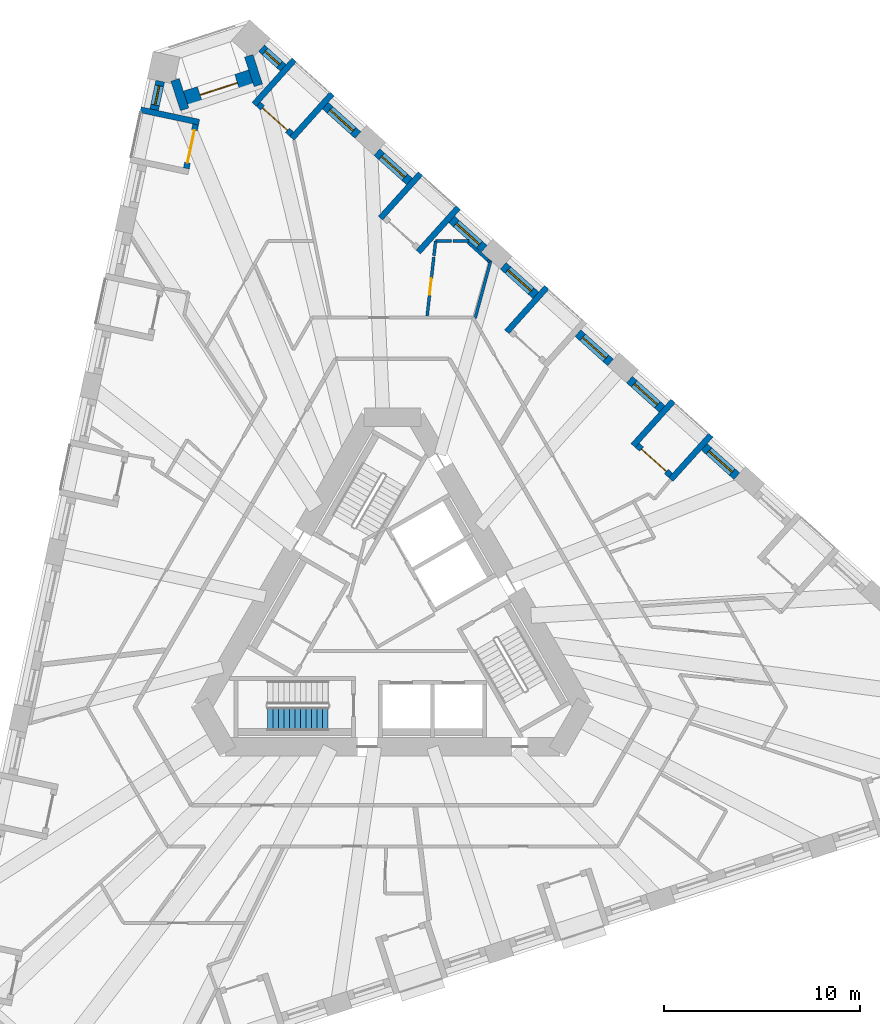
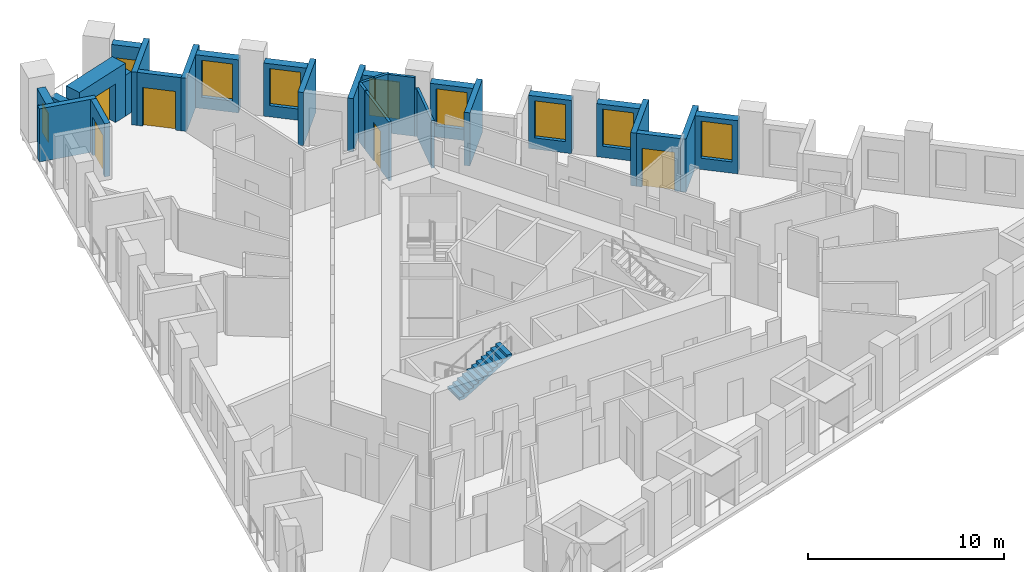
# One storey, part 9 of 13: 30 walls, 9 windows, 5 doors, 1 stair flight, 14 openings, 1 element without a shape of its own.
"""IFC4 building model written with IfcOpenShell, lengths in metres."""

from ifc_helpers import new_model, si_unit, direction, frame, frame_2d, origin, place, context, subcontext, project, spatial, polyline, rectangle, outline, extrude, material, layer, layer_set, type_object, element, fill, aggregate, save


model = new_model("IFC4")

# Units and contexts
model_context = context("Model", 3, precision=1e-05, world=origin(), true_north=direction((0.0, 1.0)))
body_context = subcontext(model_context, "Body", "Model", "MODEL_VIEW")
ifc_project = project(units=[si_unit("LENGTHUNIT", "METRE"), si_unit("AREAUNIT", "SQUARE_METRE"), si_unit("VOLUMEUNIT", "CUBIC_METRE"), si_unit("PLANEANGLEUNIT", "RADIAN"), si_unit("MASSUNIT", "GRAM", prefix="KILO")], contexts=[model_context])

# Site, building, storey
site_placement = place(None, origin())
site = spatial("IfcSite", under=ifc_project, at=site_placement, CompositionType="ELEMENT")
building_placement = place(site_placement, origin())
building = spatial("IfcBuilding", under=site, at=building_placement, Name="Tramontana Tower", CompositionType="ELEMENT")
storey_placement = place(building_placement, frame((0.0, 0.0, 108.39990234375)))
storey = spatial("IfcBuildingStorey", under=building, at=storey_placement, Name="L24", CompositionType="ELEMENT", Elevation=108.39990234375)

# Wall, opening, window
ifc_material_1 = material(Name="Precast concrete 60 MPa", Category="concrete")
ifc_layer_1 = layer(ifc_material_1, 0.449951171875)
ifc_layer_set_1 = layer_set([ifc_layer_1], Name="Precast concrete 60 MPa, 450 mm")
wall_type_1 = type_object("IfcWallType", Name="EW1 Stone-faced precast wall 450", PredefinedType="SOLIDWALL", material=ifc_layer_set_1)
wall_1_placement = place(storey_placement, frame((-11.835693359375, 27.645751953125, 0.0), z_axis=(0.0, 0.0, 1.0), x_axis=(-0.207880358131, -0.978154260178, 0.0)))
wall_1 = element("IfcWall", 1, at=wall_1_placement, inside=storey, type_object=wall_type_1, Name="External wall L24 face 0 bay 1", PredefinedType="SOLIDWALL", context=body_context, shape_type="SweptSolid", body=[
    extrude(rectangle(XDim=1.48681640625, YDim=0.449951171875, at=frame_2d((0.743408203125, 0.0))), origin(), (0.0, 0.0, 1.0), 3.300048828125),
])
opening_1_placement = place(wall_1_placement, frame((0.243408203125, 0.0, 0.699951171875)))
opening_1 = element("IfcOpeningElement", 2, at=opening_1_placement, cuts=wall_1, Name="Opening N1L", PredefinedType="OPENING", context=body_context, shape_type="SweptSolid", body=[
    extrude(rectangle(XDim=1.0, YDim=1.800048828125, at=frame_2d((0.5, 0.89990234375))), frame((0.0, 0.23486328125, 0.0), z_axis=(0.0, -1.0, 0.0), x_axis=(1.0, 0.0, 0.0)), (0.0, 0.0, 1.0), 0.469970703125),
])
ifc_material_2 = material(Name="Aluminum frame, double glazing unit", Category="aluminium")
window_type_1 = type_object("IfcWindowType", Name="N1L Window 1 x 1.8", PartitioningType="SINGLE_PANEL", PredefinedType="WINDOW", material=ifc_material_2)
window_1_placement = place(opening_1_placement, origin())
window_1 = element("IfcWindow", 3, at=window_1_placement, inside=storey, type_object=window_type_1, Name="Window N1L L24 face 0 module 1", OverallHeight=1.800048828125, OverallWidth=1.0, PartitioningType="SINGLE_PANEL", PredefinedType="WINDOW", context=body_context, shape_type="SweptSolid", body=[
    extrude(rectangle(XDim=1.0, YDim=1.800048828125, at=frame_2d((0.5, 0.89990234375))), frame((0.0, 0.030029296875, 0.0), z_axis=(0.0, -1.0, 0.0), x_axis=(1.0, 0.0, 0.0)), (0.0, 0.0, 1.0), 0.06005859375),
])
fill(opening_1, window_1)

wall_2_placement = place(storey_placement, frame((17.54541015625, 7.51513671875, 0.0), z_axis=(0.0, 0.0, 1.0), x_axis=(-0.743142151309, 0.669133576311, 0.0)))
wall_2 = element("IfcWall", 4, at=wall_2_placement, inside=storey, type_object=wall_type_1, Name="External wall L24 face 2 bay 3", PredefinedType="SOLIDWALL", context=body_context, shape_type="SweptSolid", body=[
    extrude(rectangle(XDim=2.236572265625, YDim=0.449951171875, at=frame_2d((1.1181640625, 0.0))), origin(), (0.0, 0.0, 1.0), 3.300048828125),
])
opening_2_placement = place(wall_2_placement, frame((0.318359375, 0.0, 0.699951171875)))
opening_2 = element("IfcOpeningElement", 5, at=opening_2_placement, cuts=wall_2, Name="Opening M1", PredefinedType="OPENING", context=body_context, shape_type="SweptSolid", body=[
    extrude(rectangle(XDim=1.60009765625, YDim=2.300048828125, at=frame_2d((0.800048828125, 1.14990234375))), frame((0.0, 0.23486328125, 0.0), z_axis=(0.0, -1.0, 0.0), x_axis=(1.0, 0.0, 0.0)), (0.0, 0.0, 1.0), 0.469970703125),
])
ifc_material_3 = material(Name="Aluminum frame, double glazing unit", Category="aluminium")
window_type_2 = type_object("IfcWindowType", Name="M1 Window 1.6 x 2.3", PartitioningType="SINGLE_PANEL", PredefinedType="WINDOW", material=ifc_material_3)
window_2_placement = place(opening_2_placement, origin())
window_2 = element("IfcWindow", 6, at=window_2_placement, inside=storey, type_object=window_type_2, Name="Window M1 L24 face 2 module 7", OverallHeight=2.300048828125, OverallWidth=1.60009765625, PartitioningType="SINGLE_PANEL", PredefinedType="WINDOW", context=body_context, shape_type="SweptSolid", body=[
    extrude(rectangle(XDim=1.60009765625, YDim=2.300048828125, at=frame_2d((0.800048828125, 1.14990234375))), frame((0.0, 0.030029296875, 0.0), z_axis=(0.0, -1.0, 0.0), x_axis=(1.0, 0.0, 0.0)), (0.0, 0.0, 1.0), 0.06005859375),
])
fill(opening_2, window_2)

wall_3_placement = place(storey_placement, frame((13.738037109375, 10.943359375, 0.0), z_axis=(0.0, 0.0, 1.0), x_axis=(-0.743191019375, 0.669079299276, 0.0)))
wall_3 = element("IfcWall", 7, at=wall_3_placement, inside=storey, type_object=wall_type_1, Name="External wall L24 face 2 bay 3", PredefinedType="SOLIDWALL", context=body_context, shape_type="SweptSolid", body=[
    extrude(rectangle(XDim=2.23681640625, YDim=0.449951171875, at=frame_2d((1.118408203125, 0.0))), origin(), (0.0, 0.0, 1.0), 3.300048828125),
])
opening_3_placement = place(wall_3_placement, frame((0.318359375, 0.0, 0.699951171875)))
opening_3 = element("IfcOpeningElement", 8, at=opening_3_placement, cuts=wall_3, Name="Opening M1", PredefinedType="OPENING", context=body_context, shape_type="SweptSolid", body=[
    extrude(rectangle(XDim=1.60009765625, YDim=2.300048828125, at=frame_2d((0.800048828125, 1.14990234375))), frame((0.0, 0.23486328125, 0.0), z_axis=(0.0, -1.0, 0.0), x_axis=(1.0, 0.0, 0.0)), (0.0, 0.0, 1.0), 0.469970703125),
])
window_3_placement = place(opening_3_placement, origin())
window_3 = element("IfcWindow", 9, at=window_3_placement, inside=storey, type_object=window_type_2, Name="Window M1 L24 face 2 module 9", OverallHeight=2.300048828125, OverallWidth=1.60009765625, PartitioningType="SINGLE_PANEL", PredefinedType="WINDOW", context=body_context, shape_type="SweptSolid", body=[
    extrude(rectangle(XDim=1.60009765625, YDim=2.300048828125, at=frame_2d((0.800048828125, 1.14990234375))), frame((0.0, 0.030029296875, 0.0), z_axis=(0.0, -1.0, 0.0), x_axis=(1.0, 0.0, 0.0)), (0.0, 0.0, 1.0), 0.06005859375),
])
fill(opening_3, window_3)

wall_4_placement = place(storey_placement, frame((11.109619140625, 13.309814453125, 0.0), z_axis=(0.0, 0.0, 1.0), x_axis=(-0.743087873176, 0.669193852885, 0.0)))
wall_4 = element("IfcWall", 10, at=wall_4_placement, inside=storey, type_object=wall_type_1, Name="External wall L24 face 2 bay 4", PredefinedType="SOLIDWALL", context=body_context, shape_type="SweptSolid", body=[
    extrude(rectangle(XDim=2.23681640625, YDim=0.449951171875, at=frame_2d((1.118408203125, 0.0))), origin(), (0.0, 0.0, 1.0), 3.300048828125),
])
opening_4_placement = place(wall_4_placement, frame((0.318359375, 0.0, 0.699951171875)))
opening_4 = element("IfcOpeningElement", 11, at=opening_4_placement, cuts=wall_4, Name="Opening M1", PredefinedType="OPENING", context=body_context, shape_type="SweptSolid", body=[
    extrude(rectangle(XDim=1.60009765625, YDim=2.300048828125, at=frame_2d((0.800048828125, 1.14990234375))), frame((0.0, 0.23486328125, 0.0), z_axis=(0.0, -1.0, 0.0), x_axis=(1.0, 0.0, 0.0)), (0.0, 0.0, 1.0), 0.469970703125),
])
window_4_placement = place(opening_4_placement, origin())
window_4 = element("IfcWindow", 12, at=window_4_placement, inside=storey, type_object=window_type_2, Name="Window M1 L24 face 2 module 10", OverallHeight=2.300048828125, OverallWidth=1.60009765625, PartitioningType="SINGLE_PANEL", PredefinedType="WINDOW", context=body_context, shape_type="SweptSolid", body=[
    extrude(rectangle(XDim=1.60009765625, YDim=2.300048828125, at=frame_2d((0.800048828125, 1.14990234375))), frame((0.0, 0.030029296875, 0.0), z_axis=(0.0, -1.0, 0.0), x_axis=(1.0, 0.0, 0.0)), (0.0, 0.0, 1.0), 0.06005859375),
])
fill(opening_4, window_4)

wall_5_placement = place(storey_placement, frame((7.30224609375, 16.73828125, 0.0), z_axis=(0.0, 0.0, 1.0), x_axis=(-0.743191019375, 0.669079299276, 0.0)))
wall_5 = element("IfcWall", 13, at=wall_5_placement, inside=storey, type_object=wall_type_1, Name="External wall L24 face 2 bay 4", PredefinedType="SOLIDWALL", context=body_context, shape_type="SweptSolid", body=[
    extrude(rectangle(XDim=2.23681640625, YDim=0.449951171875, at=frame_2d((1.118408203125, 0.0))), origin(), (0.0, 0.0, 1.0), 3.300048828125),
])
opening_5_placement = place(wall_5_placement, frame((0.318359375, 0.0, 0.699951171875)))
opening_5 = element("IfcOpeningElement", 14, at=opening_5_placement, cuts=wall_5, Name="Opening M1", PredefinedType="OPENING", context=body_context, shape_type="SweptSolid", body=[
    extrude(rectangle(XDim=1.60009765625, YDim=2.300048828125, at=frame_2d((0.800048828125, 1.14990234375))), frame((0.0, 0.23486328125, 0.0), z_axis=(0.0, -1.0, 0.0), x_axis=(1.0, 0.0, 0.0)), (0.0, 0.0, 1.0), 0.469970703125),
])
window_5_placement = place(opening_5_placement, origin())
window_5 = element("IfcWindow", 15, at=window_5_placement, inside=storey, type_object=window_type_2, Name="Window M1 L24 face 2 module 12", OverallHeight=2.300048828125, OverallWidth=1.60009765625, PartitioningType="SINGLE_PANEL", PredefinedType="WINDOW", context=body_context, shape_type="SweptSolid", body=[
    extrude(rectangle(XDim=1.60009765625, YDim=2.300048828125, at=frame_2d((0.800048828125, 1.14990234375))), frame((0.0, 0.030029296875, 0.0), z_axis=(0.0, -1.0, 0.0), x_axis=(1.0, 0.0, 0.0)), (0.0, 0.0, 1.0), 0.06005859375),
])
fill(opening_5, window_5)

wall_6_placement = place(storey_placement, frame((4.673828125, 19.104736328125, 0.0), z_axis=(0.0, 0.0, 1.0), x_axis=(-0.743191019375, 0.669079299276, 0.0)))
wall_6 = element("IfcWall", 16, at=wall_6_placement, inside=storey, type_object=wall_type_1, Name="External wall L24 face 2 bay 5", PredefinedType="SOLIDWALL", context=body_context, shape_type="SweptSolid", body=[
    extrude(rectangle(XDim=2.23681640625, YDim=0.449951171875, at=frame_2d((1.118408203125, 0.0))), origin(), (0.0, 0.0, 1.0), 3.300048828125),
])
opening_6_placement = place(wall_6_placement, frame((0.318359375, 0.0, 0.699951171875)))
opening_6 = element("IfcOpeningElement", 17, at=opening_6_placement, cuts=wall_6, Name="Opening M1", PredefinedType="OPENING", context=body_context, shape_type="SweptSolid", body=[
    extrude(rectangle(XDim=1.60009765625, YDim=2.300048828125, at=frame_2d((0.800048828125, 1.14990234375))), frame((0.0, 0.23486328125, 0.0), z_axis=(0.0, -1.0, 0.0), x_axis=(1.0, 0.0, 0.0)), (0.0, 0.0, 1.0), 0.469970703125),
])
window_6_placement = place(opening_6_placement, origin())
window_6 = element("IfcWindow", 18, at=window_6_placement, inside=storey, type_object=window_type_2, Name="Window M1 L24 face 2 module 13", OverallHeight=2.300048828125, OverallWidth=1.60009765625, PartitioningType="SINGLE_PANEL", PredefinedType="WINDOW", context=body_context, shape_type="SweptSolid", body=[
    extrude(rectangle(XDim=1.60009765625, YDim=2.300048828125, at=frame_2d((0.800048828125, 1.14990234375))), frame((0.0, 0.030029296875, 0.0), z_axis=(0.0, -1.0, 0.0), x_axis=(1.0, 0.0, 0.0)), (0.0, 0.0, 1.0), 0.06005859375),
])
fill(opening_6, window_6)

wall_7_placement = place(storey_placement, frame((0.8662109375, 22.532958984375, 0.0), z_axis=(0.0, 0.0, 1.0), x_axis=(-0.743087873176, 0.669193852885, 0.0)))
wall_7 = element("IfcWall", 19, at=wall_7_placement, inside=storey, type_object=wall_type_1, Name="External wall L24 face 2 bay 5", PredefinedType="SOLIDWALL", context=body_context, shape_type="SweptSolid", body=[
    extrude(rectangle(XDim=2.23681640625, YDim=0.449951171875, at=frame_2d((1.118408203125, 0.0))), origin(), (0.0, 0.0, 1.0), 3.300048828125),
])
opening_7_placement = place(wall_7_placement, frame((0.318359375, 0.0, 0.699951171875)))
opening_7 = element("IfcOpeningElement", 20, at=opening_7_placement, cuts=wall_7, Name="Opening M1", PredefinedType="OPENING", context=body_context, shape_type="SweptSolid", body=[
    extrude(rectangle(XDim=1.60009765625, YDim=2.300048828125, at=frame_2d((0.800048828125, 1.14990234375))), frame((0.0, 0.23486328125, 0.0), z_axis=(0.0, -1.0, 0.0), x_axis=(1.0, 0.0, 0.0)), (0.0, 0.0, 1.0), 0.469970703125),
])
window_7_placement = place(opening_7_placement, origin())
window_7 = element("IfcWindow", 21, at=window_7_placement, inside=storey, type_object=window_type_2, Name="Window M1 L24 face 2 module 15", OverallHeight=2.300048828125, OverallWidth=1.60009765625, PartitioningType="SINGLE_PANEL", PredefinedType="WINDOW", context=body_context, shape_type="SweptSolid", body=[
    extrude(rectangle(XDim=1.60009765625, YDim=2.300048828125, at=frame_2d((0.800048828125, 1.14990234375))), frame((0.0, 0.030029296875, 0.0), z_axis=(0.0, -1.0, 0.0), x_axis=(1.0, 0.0, 0.0)), (0.0, 0.0, 1.0), 0.06005859375),
])
fill(opening_7, window_7)

wall_8_placement = place(storey_placement, frame((-1.761962890625, 24.899658203125, 0.0), z_axis=(0.0, 0.0, 1.0), x_axis=(-0.743191019375, 0.669079299276, 0.0)))
wall_8 = element("IfcWall", 22, at=wall_8_placement, inside=storey, type_object=wall_type_1, Name="External wall L24 face 2 bay 6", PredefinedType="SOLIDWALL", context=body_context, shape_type="SweptSolid", body=[
    extrude(rectangle(XDim=2.23681640625, YDim=0.449951171875, at=frame_2d((1.118408203125, 0.0))), origin(), (0.0, 0.0, 1.0), 3.300048828125),
])
opening_8_placement = place(wall_8_placement, frame((0.318359375, 0.0, 0.699951171875)))
opening_8 = element("IfcOpeningElement", 23, at=opening_8_placement, cuts=wall_8, Name="Opening M1", PredefinedType="OPENING", context=body_context, shape_type="SweptSolid", body=[
    extrude(rectangle(XDim=1.60009765625, YDim=2.300048828125, at=frame_2d((0.800048828125, 1.14990234375))), frame((0.0, 0.23486328125, 0.0), z_axis=(0.0, -1.0, 0.0), x_axis=(1.0, 0.0, 0.0)), (0.0, 0.0, 1.0), 0.469970703125),
])
window_8_placement = place(opening_8_placement, origin())
window_8 = element("IfcWindow", 24, at=window_8_placement, inside=storey, type_object=window_type_2, Name="Window M1 L24 face 2 module 16", OverallHeight=2.300048828125, OverallWidth=1.60009765625, PartitioningType="SINGLE_PANEL", PredefinedType="WINDOW", context=body_context, shape_type="SweptSolid", body=[
    extrude(rectangle(XDim=1.60009765625, YDim=2.300048828125, at=frame_2d((0.800048828125, 1.14990234375))), frame((0.0, 0.030029296875, 0.0), z_axis=(0.0, -1.0, 0.0), x_axis=(1.0, 0.0, 0.0)), (0.0, 0.0, 1.0), 0.06005859375),
])
fill(opening_8, window_8)

wall_9_placement = place(storey_placement, frame((-5.569580078125, 28.327880859375, 0.0), z_axis=(0.0, 0.0, 1.0), x_axis=(-0.743089972274, 0.669191521992, 0.0)))
wall_9 = element("IfcWall", 25, at=wall_9_placement, inside=storey, type_object=wall_type_1, Name="External wall L24 face 2 bay 6", PredefinedType="SOLIDWALL", context=body_context, shape_type="SweptSolid", body=[
    extrude(rectangle(XDim=1.486572265625, YDim=0.449951171875, at=frame_2d((0.7431640625, 0.0))), origin(), (0.0, 0.0, 1.0), 3.300048828125),
])
opening_9_placement = place(wall_9_placement, frame((0.243408203125, 0.0, 0.699951171875)))
opening_9 = element("IfcOpeningElement", 26, at=opening_9_placement, cuts=wall_9, Name="Opening N1L", PredefinedType="OPENING", context=body_context, shape_type="SweptSolid", body=[
    extrude(rectangle(XDim=1.0, YDim=1.800048828125, at=frame_2d((0.5, 0.89990234375))), frame((0.0, 0.23486328125, 0.0), z_axis=(0.0, -1.0, 0.0), x_axis=(1.0, 0.0, 0.0)), (0.0, 0.0, 1.0), 0.469970703125),
])
window_9_placement = place(opening_9_placement, origin())
window_9 = element("IfcWindow", 27, at=window_9_placement, inside=storey, type_object=window_type_1, Name="Window N1L L24 face 2 module 18", OverallHeight=1.800048828125, OverallWidth=1.0, PartitioningType="SINGLE_PANEL", PredefinedType="WINDOW", context=body_context, shape_type="SweptSolid", body=[
    extrude(rectangle(XDim=1.0, YDim=1.800048828125, at=frame_2d((0.5, 0.89990234375))), frame((0.0, 0.030029296875, 0.0), z_axis=(0.0, -1.0, 0.0), x_axis=(1.0, 0.0, 0.0)), (0.0, 0.0, 1.0), 0.06005859375),
])
fill(opening_9, window_9)

# Walls
for number, where, z_axis, x_axis, name in (
    (28, (-11.08056640625, 27.71142578125, 0.0), (0.0, 0.0, 1.0), (0.309030142399, -0.951052244143, 0.0), "Corner loggia side wall L24 K20l"),
    (29, (-7.323974609375, 28.93212890625, 0.0), (0.0, 0.0, 1.0), (0.309030142399, -0.951052244143, 0.0), "Corner loggia side wall L24 K20r"),
):
    element("IfcWall", number, at=place(storey_placement, frame(where, z_axis=z_axis, x_axis=x_axis)), inside=storey, type_object=wall_type_1, Name=name, PredefinedType="SOLIDWALL", context=body_context, shape_type="SweptSolid", body=[
        extrude(rectangle(XDim=1.579345703125, YDim=0.449951171875, at=frame_2d((0.78955078125, 0.0))), origin(), (0.0, 0.0, 1.0), 2.550048828125),
    ])

# Wall, opening, door
ifc_material_4 = material(Name="Precast concrete 60 MPa", Category="concrete")
ifc_layer_2 = layer(ifc_material_4, 0.89990234375)
ifc_layer_set_2 = layer_set([ifc_layer_2], Name="EW2 Stone-faced corner loggia wall 900")
wall_type_2 = type_object("IfcWallType", Name="EW2 Stone-faced corner loggia wall 900", PredefinedType="SOLIDWALL", material=ifc_layer_set_2)
wall_10_placement = place(storey_placement, frame((-10.517578125, 26.70703125, 0.0), z_axis=(0.0, 0.0, 1.0), x_axis=(0.951055596592, 0.309019824916, 0.0)))
wall_10 = element("IfcWall", 30, at=wall_10_placement, inside=storey, type_object=wall_type_2, Name="Corner loggia wall L24 K20", PredefinedType="SOLIDWALL", context=body_context, shape_type="SweptSolid", body=[
    extrude(rectangle(XDim=3.5, YDim=0.89990234375, at=frame_2d((1.75, 0.0))), origin(), (0.0, 0.0, 1.0), 3.300048828125),
])
opening_10_placement = place(wall_10_placement, frame((0.75, 0.0, 0.0)))
opening_10 = element("IfcOpeningElement", 31, at=opening_10_placement, cuts=wall_10, Name="Opening BD-20C", PredefinedType="OPENING", context=body_context, shape_type="SweptSolid", body=[
    extrude(rectangle(XDim=2.0, YDim=2.39990234375, at=frame_2d((1.0, 1.199951171875))), frame((0.0, 0.4599609375, 0.0), z_axis=(0.0, -1.0, 0.0), x_axis=(1.0, 0.0, 0.0)), (0.0, 0.0, 1.0), 0.919921875),
])
ifc_material_5 = material(Name="Aluminum frame, double glazing unit", Category="aluminium")
door_type_1 = type_object("IfcDoorType", Name="BC1 Sliding door 2 x 2.4", OperationType="SLIDING_TO_LEFT", PredefinedType="DOOR", material=ifc_material_5)
door_1_placement = place(opening_10_placement, origin())
door_1 = element("IfcDoor", 32, at=door_1_placement, inside=storey, type_object=door_type_1, Name="Corner loggia door L24 K20", OperationType="SLIDING_TO_LEFT", OverallHeight=2.39990234375, OverallWidth=2.0, PredefinedType="DOOR", context=body_context, shape_type="SweptSolid", body=[
    extrude(rectangle(XDim=2.0, YDim=2.39990234375, at=frame_2d((1.0, 1.199951171875))), frame((0.0, 0.02490234375, 0.0), z_axis=(0.0, -1.0, 0.0), x_axis=(1.0, 0.0, 0.0)), (0.0, 0.0, 1.0), 0.050048828125),
])
fill(opening_10, door_1)

ifc_material_6 = material(Name="Precast concrete 60 MPa", Category="concrete")
ifc_layer_3 = layer(ifc_material_6, 0.300048828125)
ifc_layer_set_3 = layer_set([ifc_layer_3], Name="LW1 Stone-faced loggia wall 300")
wall_type_3 = type_object("IfcWallType", Name="LW1 Stone-faced loggia wall 300", PredefinedType="SOLIDWALL", material=ifc_layer_set_3)
wall_11_placement = place(storey_placement, frame((-10.031005859375, 25.435302734375, 0.0), z_axis=(0.0, 0.0, 1.0), x_axis=(-0.207866417042, -0.978157222877, 0.0)))
wall_11 = element("IfcWall", 33, at=wall_11_placement, inside=storey, type_object=wall_type_3, Name="Loggia wall L24 G2S0.1", PredefinedType="SOLIDWALL", context=body_context, shape_type="SweptSolid", body=[
    extrude(rectangle(XDim=2.286865234375, YDim=0.300048828125, at=frame_2d((1.1435546875, 0.0))), origin(), (0.0, 0.0, 1.0), 3.300048828125),
])
opening_11_placement = place(wall_11_placement, frame((0.29345703125, 0.0, 0.0)))
opening_11 = element("IfcOpeningElement", 34, at=opening_11_placement, cuts=wall_11, Name="Opening BD-2S0-01", PredefinedType="OPENING", context=body_context, shape_type="SweptSolid", body=[
    extrude(rectangle(XDim=1.699951171875, YDim=2.39990234375, at=frame_2d((0.85009765625, 1.199951171875))), frame((0.0, 0.159912109375, 0.0), z_axis=(0.0, -1.0, 0.0), x_axis=(1.0, 0.0, 0.0)), (0.0, 0.0, 1.0), 0.320068359375),
])
ifc_material_7 = material(Name="Aluminum frame, double glazing unit", Category="aluminium")
door_type_2 = type_object("IfcDoorType", Name="BD1 Sliding door 1.7 x 2.4", OperationType="SLIDING_TO_LEFT", PredefinedType="DOOR", material=ifc_material_7)
door_2_placement = place(opening_11_placement, origin())
door_2 = element("IfcDoor", 35, at=door_2_placement, inside=storey, type_object=door_type_2, Name="Loggia door L24 G2S0.1", OperationType="SLIDING_TO_LEFT", OverallHeight=2.39990234375, OverallWidth=1.699951171875, PredefinedType="DOOR", context=body_context, shape_type="SweptSolid", body=[
    extrude(rectangle(XDim=1.699951171875, YDim=2.39990234375, at=frame_2d((0.85009765625, 1.199951171875))), frame((0.0, 0.02490234375, 0.0), z_axis=(0.0, -1.0, 0.0), x_axis=(1.0, 0.0, 0.0)), (0.0, 0.0, 1.0), 0.050048828125),
])
fill(opening_11, door_2)

# Wall
wall_12_placement = place(storey_placement, frame((-12.83642578125, 26.18505859375, 0.0), z_axis=(0.0, 0.0, 1.0), x_axis=(0.978154782045, -0.207877902534, 0.0)))
element("IfcWall", 36, at=wall_12_placement, inside=storey, type_object=wall_type_3, Name="Loggia return L24 G2S0.1a", PredefinedType="SOLIDWALL", context=body_context, shape_type="SweptSolid", body=[
    extrude(rectangle(XDim=3.050048828125, YDim=0.300048828125, at=frame_2d((1.52490234375, 0.0))), origin(), (0.0, 0.0, 1.0), 3.300048828125),
])

# Wall, opening, door
wall_13_placement = place(storey_placement, frame((14.17138671875, 7.55908203125, 0.0), z_axis=(0.0, 0.0, 1.0), x_axis=(-0.743134851659, 0.66914168324, 0.0)))
wall_13 = element("IfcWall", 37, at=wall_13_placement, inside=storey, type_object=wall_type_3, Name="Loggia wall L24 G2S2.7", PredefinedType="SOLIDWALL", context=body_context, shape_type="SweptSolid", body=[
    extrude(rectangle(XDim=2.28662109375, YDim=0.300048828125, at=frame_2d((1.143310546875, 0.0))), origin(), (0.0, 0.0, 1.0), 3.300048828125),
])
opening_12_placement = place(wall_13_placement, frame((0.29345703125, 0.0, 0.0)))
opening_12 = element("IfcOpeningElement", 38, at=opening_12_placement, cuts=wall_13, Name="Opening BD-2S2-07", PredefinedType="OPENING", context=body_context, shape_type="SweptSolid", body=[
    extrude(rectangle(XDim=1.699951171875, YDim=2.39990234375, at=frame_2d((0.85009765625, 1.199951171875))), frame((0.0, 0.159912109375, 0.0), z_axis=(0.0, -1.0, 0.0), x_axis=(1.0, 0.0, 0.0)), (0.0, 0.0, 1.0), 0.320068359375),
])
door_3_placement = place(opening_12_placement, origin())
door_3 = element("IfcDoor", 39, at=door_3_placement, inside=storey, type_object=door_type_2, Name="Loggia door L24 G2S2.7", OperationType="SLIDING_TO_LEFT", OverallHeight=2.39990234375, OverallWidth=1.699951171875, PredefinedType="DOOR", context=body_context, shape_type="SweptSolid", body=[
    extrude(rectangle(XDim=1.699951171875, YDim=2.39990234375, at=frame_2d((0.85009765625, 1.199951171875))), frame((0.0, 0.02490234375, 0.0), z_axis=(0.0, -1.0, 0.0), x_axis=(1.0, 0.0, 0.0)), (0.0, 0.0, 1.0), 0.050048828125),
])
fill(opening_12, door_3)

# Walls
for number, where, z_axis, x_axis, name in (
    (40, (16.223388671875, 9.61376953125, 0.0), (0.0, 0.0, 1.0), (-0.669115082961, -0.743158802514, 0.0), "Loggia return L24 G2S2.7a"),
    (41, (14.301025390625, 11.3447265625, 0.0), (0.0, 0.0, 1.0), (-0.669115082961, -0.743158802514, 0.0), "Loggia return L24 G2S2.7b"),
    (42, (7.865234375, 17.139404296875, 0.0), (0.0, 0.0, 1.0), (-0.669115082961, -0.743158802514, 0.0), "Loggia return L24 G2S2.10b"),
    (43, (3.351806640625, 21.203369140625, 0.0), (0.0, 0.0, 1.0), (-0.669115082961, -0.743158802514, 0.0), "Loggia return L24 G2S2.13a"),
    (44, (1.429443359375, 22.934326171875, 0.0), (0.0, 0.0, 1.0), (-0.669115082961, -0.743158802514, 0.0), "Loggia return L24 G2S2.13b"),
):
    element("IfcWall", number, at=place(storey_placement, frame(where, z_axis=z_axis, x_axis=x_axis)), inside=storey, type_object=wall_type_3, Name=name, PredefinedType="SOLIDWALL", context=body_context, shape_type="SweptSolid", body=[
        extrude(rectangle(XDim=3.050048828125, YDim=0.300048828125, at=frame_2d((1.52490234375, 0.0))), origin(), (0.0, 0.0, 1.0), 3.300048828125),
    ])

# Wall, opening, door
wall_14_placement = place(storey_placement, frame((-5.135986328125, 24.943603515625, 0.0), z_axis=(0.0, 0.0, 1.0), x_axis=(-0.743182653308, 0.669088591909, 0.0)))
wall_14 = element("IfcWall", 45, at=wall_14_placement, inside=storey, type_object=wall_type_3, Name="Loggia wall L24 G2S2.16", PredefinedType="SOLIDWALL", context=body_context, shape_type="SweptSolid", body=[
    extrude(rectangle(XDim=2.28662109375, YDim=0.300048828125, at=frame_2d((1.143310546875, 0.0))), origin(), (0.0, 0.0, 1.0), 3.300048828125),
])
opening_13_placement = place(wall_14_placement, frame((0.29345703125, 0.0, 0.0)))
opening_13 = element("IfcOpeningElement", 46, at=opening_13_placement, cuts=wall_14, Name="Opening BD-2S2-16", PredefinedType="OPENING", context=body_context, shape_type="SweptSolid", body=[
    extrude(rectangle(XDim=1.699951171875, YDim=2.39990234375, at=frame_2d((0.85009765625, 1.199951171875))), frame((0.0, 0.159912109375, 0.0), z_axis=(0.0, -1.0, 0.0), x_axis=(1.0, 0.0, 0.0)), (0.0, 0.0, 1.0), 0.320068359375),
])
door_4_placement = place(opening_13_placement, origin())
door_4 = element("IfcDoor", 47, at=door_4_placement, inside=storey, type_object=door_type_2, Name="Loggia door L24 G2S2.16", OperationType="SLIDING_TO_LEFT", OverallHeight=2.39990234375, OverallWidth=1.699951171875, PredefinedType="DOOR", context=body_context, shape_type="SweptSolid", body=[
    extrude(rectangle(XDim=1.699951171875, YDim=2.39990234375, at=frame_2d((0.85009765625, 1.199951171875))), frame((0.0, 0.02490234375, 0.0), z_axis=(0.0, -1.0, 0.0), x_axis=(1.0, 0.0, 0.0)), (0.0, 0.0, 1.0), 0.050048828125),
])
fill(opening_13, door_4)

# Walls
for number, where, z_axis, x_axis, name in (
    (48, (-3.083984375, 26.998291015625, 0.0), (0.0, 0.0, 1.0), (-0.669159288314, -0.743118999127, 0.0), "Loggia return L24 G2S2.16a"),
    (49, (-5.00634765625, 28.729248046875, 0.0), (0.0, 0.0, 1.0), (-0.669115082961, -0.743158802514, 0.0), "Loggia return L24 G2S2.16b"),
):
    element("IfcWall", number, at=place(storey_placement, frame(where, z_axis=z_axis, x_axis=x_axis)), inside=storey, type_object=wall_type_3, Name=name, PredefinedType="SOLIDWALL", context=body_context, shape_type="SweptSolid", body=[
        extrude(rectangle(XDim=3.050048828125, YDim=0.300048828125, at=frame_2d((1.52490234375, 0.0))), origin(), (0.0, 0.0, 1.0), 3.300048828125),
    ])

# Wall, opening, door
ifc_material_8 = material(Name="Gypsum board partition")
ifc_layer_4 = layer(ifc_material_8, 0.14990234375)
ifc_layer_set_4 = layer_set([ifc_layer_4], Name="PARTITION 150")
wall_type_4 = type_object("IfcWallType", Name="PARTITION 150", PredefinedType="PARTITIONING", material=ifc_layer_set_4)
wall_15_placement = place(storey_placement, frame((2.10400390625, 18.680419921875, 0.0), z_axis=(0.0, 0.0, 1.0), x_axis=(-0.11196416601, -0.993712244832, 0.0)))
wall_15 = element("IfcWall", 50, at=wall_15_placement, inside=storey, type_object=wall_type_4, Name="Wall v21-pw35", PredefinedType="PARTITIONING", context=body_context, shape_type="SweptSolid", body=[
    extrude(rectangle(XDim=3.0244140625, YDim=0.14990234375, at=frame_2d((1.51220703125, 0.0))), origin(), (0.0, 0.0, 1.0), 3.650146484375),
])
opening_14_placement = place(wall_15_placement, frame((1.087158203125, 0.0, 0.0)))
opening_14 = element("IfcOpeningElement", 51, at=opening_14_placement, cuts=wall_15, Name="Opening B2B-08", PredefinedType="OPENING", context=body_context, shape_type="SweptSolid", body=[
    extrude(rectangle(XDim=0.85009765625, YDim=2.39990234375, at=frame_2d((0.425048828125, 1.199951171875))), frame((0.0, 0.0849609375, 0.0), z_axis=(0.0, -1.0, 0.0), x_axis=(1.0, 0.0, 0.0)), (0.0, 0.0, 1.0), 0.169921875),
])
ifc_material_9 = material(Name="Painted timber", Category="wood")
door_type_3 = type_object("IfcDoorType", Name="DOOR BATH 850", OperationType="SINGLE_SWING_LEFT", PredefinedType="DOOR", material=ifc_material_9)
door_5_placement = place(opening_14_placement, origin())
door_5 = element("IfcDoor", 52, at=door_5_placement, inside=storey, type_object=door_type_3, Name="Door B2B-08", OperationType="SINGLE_SWING_RIGHT", OverallHeight=2.39990234375, OverallWidth=0.85009765625, PredefinedType="DOOR", context=body_context, shape_type="SweptSolid", body=[
    extrude(rectangle(XDim=0.85009765625, YDim=2.39990234375, at=frame_2d((0.425048828125, 1.199951171875))), frame((0.0, 0.02490234375, 0.0), z_axis=(0.0, -1.0, 0.0), x_axis=(1.0, 0.0, 0.0)), (0.0, 0.0, 1.0), 0.050048828125),
])
fill(opening_14, door_5)

# Walls
wall_16_placement = place(storey_placement, frame((2.11181640625, 18.75, 0.0), z_axis=(0.0, 0.0, 1.0), x_axis=(0.111922545241, 0.993716933471, 0.0)))
element("IfcWall", 53, at=wall_16_placement, inside=storey, type_object=wall_type_4, Name="Wall v21-pw36", PredefinedType="PARTITIONING", context=body_context, shape_type="SweptSolid", body=[
    extrude(rectangle(XDim=0.754638671875, YDim=0.14990234375, at=frame_2d((0.37744140625, 0.0))), origin(), (0.0, 0.0, 1.0), 3.650146484375),
])
wall_17_placement = place(storey_placement, frame((2.1962890625, 19.5, 0.0), z_axis=(0.0, 0.0, 1.0), x_axis=(1.0, 0.0, 0.0)))
element("IfcWall", 54, at=wall_17_placement, inside=storey, type_object=wall_type_4, Name="Wall v21-pw37", PredefinedType="PARTITIONING", context=body_context, shape_type="SweptSolid", body=[
    extrude(rectangle(XDim=0.803466796875, YDim=0.14990234375, at=frame_2d((0.40185546875, 0.0))), origin(), (0.0, 0.0, 1.0), 3.650146484375),
])
wall_18_placement = place(storey_placement, frame((3.06982421875, 19.5, 0.0), z_axis=(0.0, 0.0, 1.0), x_axis=(1.0, 0.0, 0.0)))
element("IfcWall", 55, at=wall_18_placement, inside=storey, type_object=wall_type_4, Name="Wall v21-pw38", PredefinedType="PARTITIONING", context=body_context, shape_type="SweptSolid", body=[
    extrude(rectangle(XDim=0.828857421875, YDim=0.14990234375, at=frame_2d((0.41455078125, 0.0))), origin(), (0.0, 0.0, 1.0), 3.650146484375),
])
wall_19_placement = place(storey_placement, frame((3.841796875, 19.436767578125, 0.0), z_axis=(0.0, 0.0, 1.0), x_axis=(0.743162000139, -0.669111531472, 0.0)))
element("IfcWall", 56, at=wall_19_placement, inside=storey, type_object=wall_type_4, Name="Wall v21-pw39-0", PredefinedType="PARTITIONING", context=body_context, shape_type="SweptSolid", body=[
    extrude(rectangle(XDim=1.378173828125, YDim=0.14990234375, at=frame_2d((0.68896484375, 0.0))), origin(), (0.0, 0.0, 1.0), 3.650146484375),
])
wall_20_placement = place(storey_placement, frame((4.865966796875, 18.5146484375, 0.0), z_axis=(0.0, 0.0, 1.0), x_axis=(0.743078033606, -0.669204778803, 0.0)))
element("IfcWall", 57, at=wall_20_placement, inside=storey, type_object=wall_type_4, Name="Wall v21-pw39-1", PredefinedType="PARTITIONING", context=body_context, shape_type="SweptSolid", body=[
    extrude(rectangle(XDim=0.1123046875, YDim=0.14990234375, at=frame_2d((0.05615234375, 0.0))), origin(), (0.0, 0.0, 1.0), 2.9501953125),
])
wall_21_placement = place(storey_placement, frame((5.00634765625, 18.502685546875, 0.0), z_axis=(0.0, 0.0, 1.0), x_axis=(-0.261193292311, -0.965286519149, 0.0)))
element("IfcWall", 58, at=wall_21_placement, inside=storey, type_object=wall_type_4, Name="Wall v21-pw41-0", PredefinedType="PARTITIONING", context=body_context, shape_type="SweptSolid", body=[
    extrude(rectangle(XDim=3.050048828125, YDim=0.14990234375, at=frame_2d((1.52490234375, 0.0))), origin(), (0.0, 0.0, 1.0), 2.9501953125),
])

# Stair, stair flight
ifc_material_10 = material(Name="Concrete 40 MPa", Category="concrete")
stair_type = type_object("IfcStairType", Name="EXIT STAIR 24 RISERS", PredefinedType="HALF_TURN_STAIR", material=ifc_material_10)
stair_placement = place(storey_placement, origin())
stair = element("IfcStair", 59, at=stair_placement, inside=storey, type_object=stair_type, Name="L24 Exit stair ST2", PredefinedType="HALF_TURN_STAIR")
ifc_material_11 = material(Name="Concrete 40 MPa", Category="concrete")
ifc_layer_5 = layer(ifc_material_11, 0.14990234375)
ifc_layer_set_5 = layer_set([ifc_layer_5], Name="EXIT STAIR FLIGHT")
stair_flight_type = type_object("IfcStairFlightType", Name="EXIT STAIR FLIGHT", PredefinedType="STRAIGHT", material=ifc_layer_set_5)
stair_flight_placement = place(storey_placement, frame((-6.360107421875, -4.85009765625, 2.0), z_axis=(0.0, 0.0, 1.0), x_axis=(1.0, 0.0, 0.0)))
stair_flight = element("IfcStairFlight", 60, at=stair_flight_placement, type_object=stair_flight_type, Name="ST2 flight 2", NumberOfRisers=12, NumberOfTreads=11, PredefinedType="STRAIGHT", RiserHeight=0.166666667, TreadLength=0.28, context=body_context, shape_type="SweptSolid", body=[
    extrude(outline(polyline([(-0.006103515625, 0.0), (-0.006103515625, 0.0400390625), (0.0, 0.0400390625), (0.0, 0.166748046875), (0.280029296875, 0.166748046875), (0.280029296875, 0.333251953125), (0.56005859375, 0.333251953125), (0.56005859375, 0.5), (0.840087890625, 0.5), (0.840087890625, 0.666748046875), (1.1201171875, 0.666748046875), (1.1201171875, 0.833251953125), (1.39990234375, 0.833251953125), (1.39990234375, 1.0), (1.679931640625, 1.0), (1.679931640625, 1.166748046875), (1.9599609375, 1.166748046875), (1.9599609375, 1.333251953125), (2.239990234375, 1.333251953125), (2.239990234375, 1.5), (2.52001953125, 1.5), (2.52001953125, 1.666748046875), (2.800048828125, 1.666748046875), (2.800048828125, 1.833251953125), (3.080078125, 1.833251953125), (3.0859375, 1.833251953125), (3.0859375, 1.658935546875), (0.299072265625, 0.0), (-0.006103515625, 0.0)])), frame((0.0, 0.60009765625, 0.0), z_axis=(0.0, -1.0, 0.0), x_axis=(1.0, 0.0, 0.0)), (0.0, 0.0, 1.0), 1.199951171875),
])
aggregate(stair, [stair_flight])

save(model, "model.ifc")
